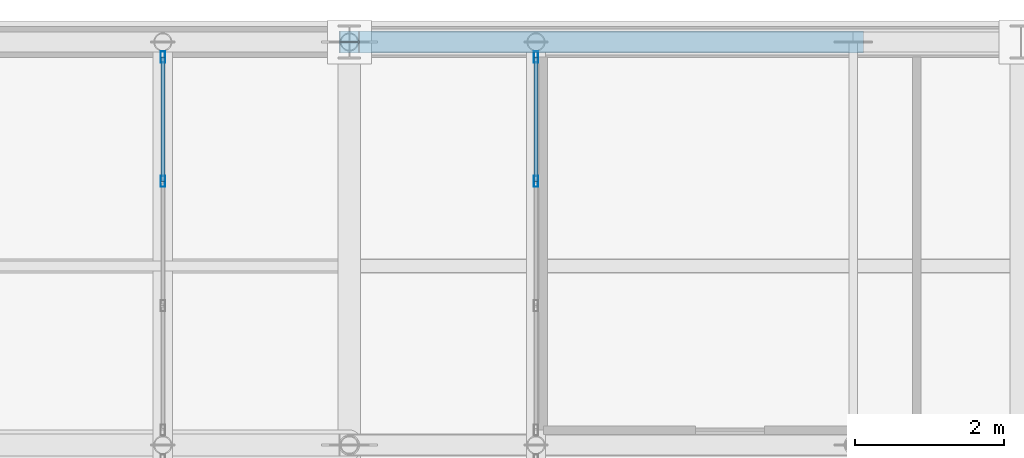
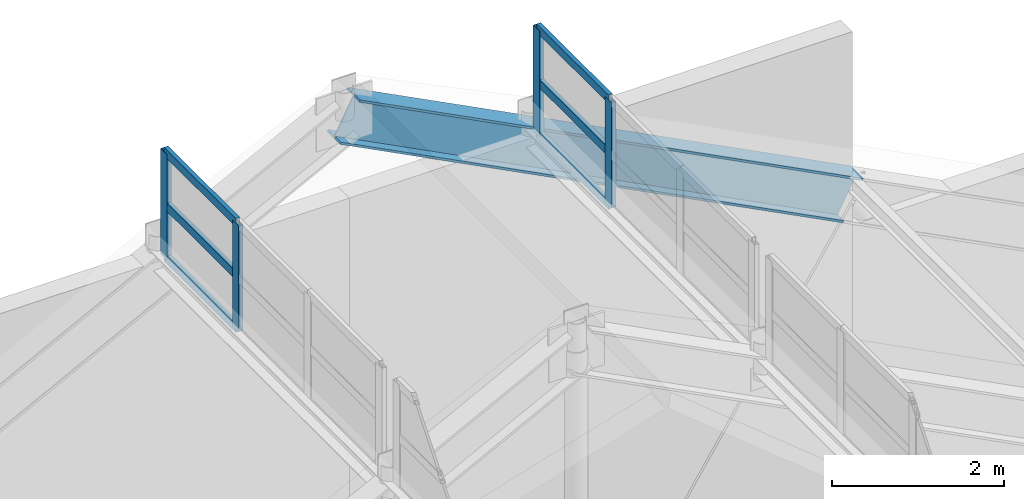
# One storey, part 63 of 84: 11 members, 2 elements without a shape of their own.
"""IFC4 building model written with IfcOpenShell, lengths in metres."""

from ifc_helpers import new_model, si_unit, direction, frame, origin, origin_2d, place, context, subcontext, project, spatial, hollow_rectangle, i_section, extrude, material, layer, layer_set, material_profile, profile_set, type_object, element, aggregate, save


model = new_model("IFC4")

# Units and contexts
model_context = context("Model", 3, precision=1e-05, world=origin(), true_north=direction((0.0, 1.0)))
body_context = subcontext(model_context, "Body", "Model", "MODEL_VIEW")
ifc_project = project(units=[si_unit("LENGTHUNIT", "METRE"), si_unit("AREAUNIT", "SQUARE_METRE"), si_unit("VOLUMEUNIT", "CUBIC_METRE"), si_unit("PLANEANGLEUNIT", "RADIAN"), si_unit("MASSUNIT", "GRAM", prefix="KILO")], contexts=[model_context])

# Site, building, storey
site_placement = place(None, origin())
site = spatial("IfcSite", under=ifc_project, at=site_placement, CompositionType="ELEMENT")
building_placement = place(site_placement, origin())
building = spatial("IfcBuilding", under=site, at=building_placement, Name="Sundgate Opera House", CompositionType="ELEMENT")
storey_placement = place(building_placement, frame((0.0, 0.0, 30.60009765625)))
storey = spatial("IfcBuildingStorey", under=building, at=storey_placement, Name="L06", CompositionType="ELEMENT", Elevation=30.60009765625)

# Curtain wall, members
ifc_material_1 = material(Name="Anodized aluminium and low-iron glass", Category="aluminium")
ifc_layer = layer(ifc_material_1, 0.169921875)
ifc_layer_set = layer_set([ifc_layer], Name="Anodized aluminium and low-iron glass")
curtain_wall_type = type_object("IfcCurtainWallType", Name="CW-LANTERN-POLY", PredefinedType="NOTDEFINED", material=ifc_layer_set)
curtain_wall_1_placement = place(storey_placement, origin())
curtain_wall_1 = element("IfcCurtainWall", 1, at=curtain_wall_1_placement, inside=storey, type_object=curtain_wall_type, Name="L06 Curtain Wall CW187", PredefinedType="NOTDEFINED")
ifc_material_2 = material(Name="Anodized aluminium EN AW-6063", Category="aluminium")
ifc_material_profile_1 = material_profile(ifc_material_2, hollow_rectangle(XDim=0.06005859375, YDim=0.14990234375, WallThickness=0.00390625, at=origin_2d()), Name="CWM 150x60x4")
ifc_profile_set_1 = profile_set([ifc_material_profile_1], Name="Anodized aluminium EN AW-6063")
member_type_1 = type_object("IfcMemberType", Name="CWM-ALU-150x60", PredefinedType="MULLION", material=ifc_profile_set_1)
member_1_placement = place(storey_placement, frame((51.5, 86.800048828125, 16.199951171875), z_axis=(0.0, 0.0, 1.0), x_axis=(1.0, 0.0, 0.0)))
member_1 = element("IfcMember", 2, at=member_1_placement, type_object=member_type_1, Name="CW187 Mullion 1", PredefinedType="MULLION", context=body_context, shape_type="SweptSolid", body=[
    extrude(hollow_rectangle(XDim=0.06005859375, YDim=0.14990234375, WallThickness=0.00390625, at=origin_2d()), origin(), (0.0, 0.0, 1.0), 1.5),
])
member_2_placement = place(storey_placement, frame((51.5, 85.13330078125, 16.199951171875), z_axis=(0.0, 0.0, 1.0), x_axis=(1.0, 0.0, 0.0)))
member_2 = element("IfcMember", 3, at=member_2_placement, type_object=member_type_1, Name="CW187 Mullion 2", PredefinedType="MULLION", context=body_context, shape_type="SweptSolid", body=[
    extrude(hollow_rectangle(XDim=0.06005859375, YDim=0.14990234375, WallThickness=0.00390625, at=origin_2d()), origin(), (0.0, 0.0, 1.0), 1.5),
])

curtain_wall_2_placement = place(storey_placement, origin())
curtain_wall_2 = element("IfcCurtainWall", 4, at=curtain_wall_2_placement, inside=storey, type_object=curtain_wall_type, Name="L06 Curtain Wall CW188", PredefinedType="NOTDEFINED")
member_3_placement = place(storey_placement, frame((56.5, 85.13330078125, 16.199951171875), z_axis=(0.0, 0.0, 1.0), x_axis=(1.0, 0.0, 0.0)))
member_3 = element("IfcMember", 5, at=member_3_placement, type_object=member_type_1, Name="CW188 Mullion 3", PredefinedType="MULLION", context=body_context, shape_type="SweptSolid", body=[
    extrude(hollow_rectangle(XDim=0.06005859375, YDim=0.14990234375, WallThickness=0.00390625, at=origin_2d()), origin(), (0.0, 0.0, 1.0), 1.5),
])
member_4_placement = place(storey_placement, frame((56.5, 86.800048828125, 16.199951171875), z_axis=(0.0, 0.0, 1.0), x_axis=(1.0, 0.0, 0.0)))
member_4 = element("IfcMember", 6, at=member_4_placement, type_object=member_type_1, Name="CW188 Mullion 4", PredefinedType="MULLION", context=body_context, shape_type="SweptSolid", body=[
    extrude(hollow_rectangle(XDim=0.06005859375, YDim=0.14990234375, WallThickness=0.00390625, at=origin_2d()), origin(), (0.0, 0.0, 1.0), 1.5),
])

# Member
ifc_material_3 = material(Name="Anodized aluminium EN AW-6063", Category="aluminium")
ifc_material_profile_2 = material_profile(ifc_material_3, hollow_rectangle(XDim=0.054931640625, YDim=0.1201171875, WallThickness=0.00390625, at=origin_2d()), Name="CWT 120x55x4")
ifc_profile_set_2 = profile_set([ifc_material_profile_2], Name="Anodized aluminium EN AW-6063")
member_type_2 = type_object("IfcMemberType", Name="CWT-ALU-120x55", PredefinedType="USERDEFINED", material=ifc_profile_set_2)
member_5_placement = place(storey_placement, frame((51.5, 86.800048828125, 16.199951171875), z_axis=(0.0, -1.0, 0.0), x_axis=(1.0, 0.0, 0.0)))
member_5 = element("IfcMember", 7, at=member_5_placement, type_object=member_type_2, Name="CW187 Transom 1", ObjectType="TRANSOM", PredefinedType="USERDEFINED", context=body_context, shape_type="SweptSolid", body=[
    extrude(hollow_rectangle(XDim=0.054931640625, YDim=0.1201171875, WallThickness=0.00390625, at=origin_2d()), origin(), (0.0, 0.0, 1.0), 1.666748046875),
])

member_6_placement = place(storey_placement, frame((51.5, 86.800048828125, 16.949951171875), z_axis=(0.0, -1.0, 0.0), x_axis=(1.0, 0.0, 0.0)))
member_6 = element("IfcMember", 8, at=member_6_placement, type_object=member_type_2, Name="CW187 Transom 2", ObjectType="TRANSOM", PredefinedType="USERDEFINED", context=body_context, shape_type="SweptSolid", body=[
    extrude(hollow_rectangle(XDim=0.054931640625, YDim=0.1201171875, WallThickness=0.00390625, at=origin_2d()), origin(), (0.0, 0.0, 1.0), 1.666748046875),
])

member_7_placement = place(storey_placement, frame((51.5, 86.800048828125, 17.699951171875), z_axis=(0.0, -1.0, 0.0), x_axis=(1.0, 0.0, 0.0)))
member_7 = element("IfcMember", 9, at=member_7_placement, type_object=member_type_2, Name="CW187 Transom 3", ObjectType="TRANSOM", PredefinedType="USERDEFINED", context=body_context, shape_type="SweptSolid", body=[
    extrude(hollow_rectangle(XDim=0.054931640625, YDim=0.1201171875, WallThickness=0.00390625, at=origin_2d()), origin(), (0.0, 0.0, 1.0), 1.666748046875),
])

aggregate(curtain_wall_1, [member_1, member_2, member_5, member_6, member_7])

member_8_placement = place(storey_placement, frame((56.5, 85.13330078125, 16.199951171875), z_axis=(0.0, 1.0, 0.0), x_axis=(-1.0, 0.0, 0.0)))
member_8 = element("IfcMember", 10, at=member_8_placement, type_object=member_type_2, Name="CW188 Transom 7", ObjectType="TRANSOM", PredefinedType="USERDEFINED", context=body_context, shape_type="SweptSolid", body=[
    extrude(hollow_rectangle(XDim=0.054931640625, YDim=0.1201171875, WallThickness=0.00390625, at=origin_2d()), origin(), (0.0, 0.0, 1.0), 1.666748046875),
])

member_9_placement = place(storey_placement, frame((56.5, 85.13330078125, 16.949951171875), z_axis=(0.0, 1.0, 0.0), x_axis=(-1.0, 0.0, 0.0)))
member_9 = element("IfcMember", 11, at=member_9_placement, type_object=member_type_2, Name="CW188 Transom 8", ObjectType="TRANSOM", PredefinedType="USERDEFINED", context=body_context, shape_type="SweptSolid", body=[
    extrude(hollow_rectangle(XDim=0.054931640625, YDim=0.1201171875, WallThickness=0.00390625, at=origin_2d()), origin(), (0.0, 0.0, 1.0), 1.666748046875),
])

member_10_placement = place(storey_placement, frame((56.5, 85.13330078125, 17.699951171875), z_axis=(0.0, 1.0, 0.0), x_axis=(-1.0, 0.0, 0.0)))
member_10 = element("IfcMember", 12, at=member_10_placement, type_object=member_type_2, Name="CW188 Transom 9", ObjectType="TRANSOM", PredefinedType="USERDEFINED", context=body_context, shape_type="SweptSolid", body=[
    extrude(hollow_rectangle(XDim=0.054931640625, YDim=0.1201171875, WallThickness=0.00390625, at=origin_2d()), origin(), (0.0, 0.0, 1.0), 1.666748046875),
])

aggregate(curtain_wall_2, [member_3, member_4, member_8, member_9, member_10])

ifc_material_4 = material(Name="Steel S355J2", Category="steel")
ifc_material_profile_3 = material_profile(ifc_material_4, i_section(OverallWidth=0.300048828125, OverallDepth=0.60009765625, WebThickness=0.015380859375, FlangeThickness=0.030029296875, at=origin_2d()), Name="HEB 600")
ifc_profile_set_3 = profile_set([ifc_material_profile_3], Name="Steel S355J2")
member_type_3 = type_object("IfcMemberType", Name="MB-CHORD-HEB600", PredefinedType="CHORD", material=ifc_profile_set_3)
member_11_placement = place(storey_placement, frame((54.0, 87.0, 17.199951171875), z_axis=(0.888960276237, 0.0, -0.457984308981), x_axis=(0.0, 1.0, 0.0)))
element("IfcMember", 13, at=member_11_placement, inside=storey, type_object=member_type_3, Name="L06 Fly-Tower Truss Top Chord M0225", PredefinedType="CHORD", context=body_context, shape_type="SweptSolid", body=[
    extrude(i_section(OverallWidth=0.300048828125, OverallDepth=0.60009765625, WebThickness=0.015380859375, FlangeThickness=0.030029296875, at=origin_2d()), origin(), (0.0, 0.0, 1.0), 7.59326171875),
])

save(model, "model.ifc")
